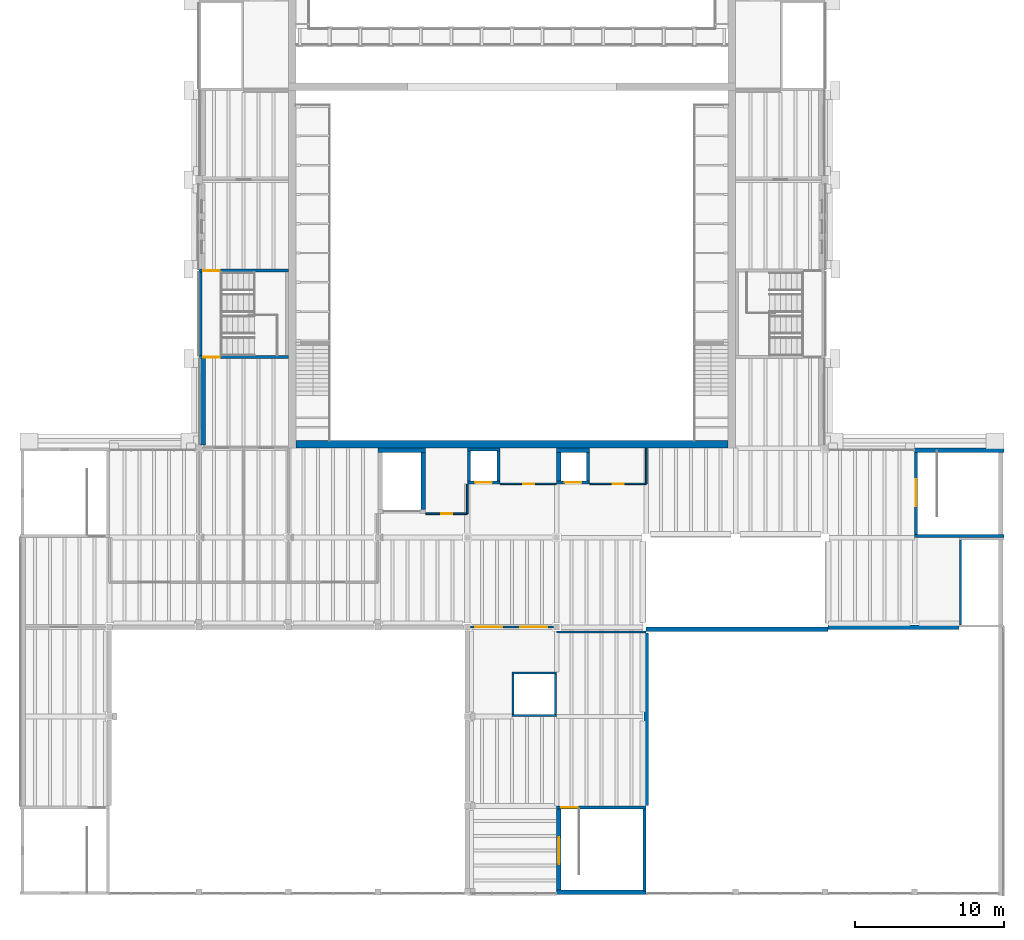
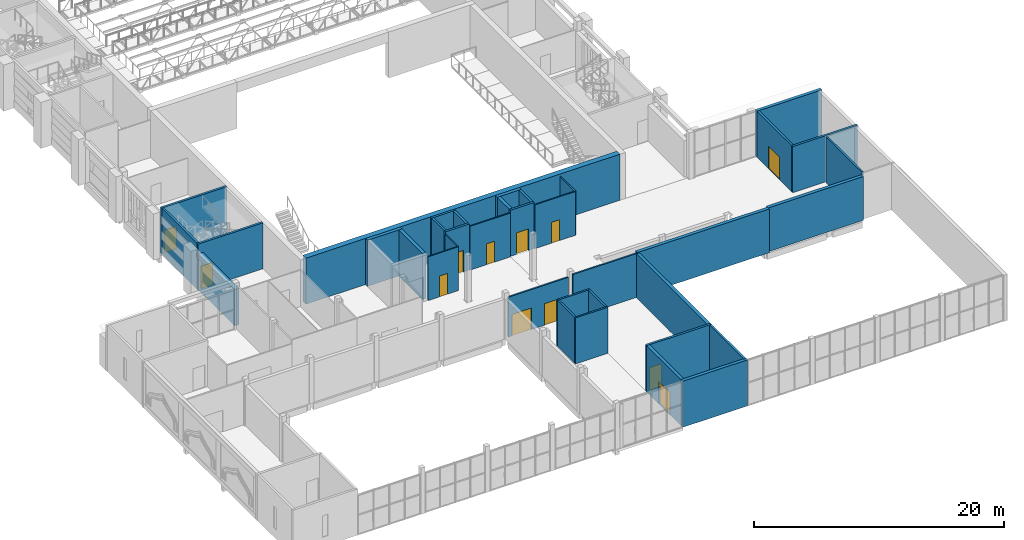
# One storey, part 26 of 70: 37 walls, 12 doors, 12 openings.
"""IFC4 building model written with IfcOpenShell, lengths in metres."""

from ifc_helpers import new_model, si_unit, direction, frame, frame_2d, origin, place, context, subcontext, project, spatial, rectangle, extrude, material, layer, layer_set, type_object, element, fill, save


model = new_model("IFC4")

# Units and contexts
model_context = context("Model", 3, precision=1e-05, world=origin(), true_north=direction((0.0, 1.0)))
body_context = subcontext(model_context, "Body", "Model", "MODEL_VIEW")
ifc_project = project(units=[si_unit("LENGTHUNIT", "METRE"), si_unit("AREAUNIT", "SQUARE_METRE"), si_unit("VOLUMEUNIT", "CUBIC_METRE"), si_unit("PLANEANGLEUNIT", "RADIAN"), si_unit("MASSUNIT", "GRAM", prefix="KILO")], contexts=[model_context])

# Site, building, storey
site_placement = place(None, origin())
site = spatial("IfcSite", under=ifc_project, at=site_placement, CompositionType="ELEMENT")
building_placement = place(site_placement, origin())
building = spatial("IfcBuilding", under=site, at=building_placement, Name="Saffron Lane Theatres", CompositionType="ELEMENT")
storey_placement = place(building_placement, frame((0.0, 0.0, 12.0)))
storey = spatial("IfcBuildingStorey", under=building, at=storey_placement, Name="L02", CompositionType="ELEMENT", Elevation=12.0)

# Walls
ifc_material_1 = material(Name="Masonry pale clay brick", Category="masonry")
ifc_layer_1 = layer(ifc_material_1, 0.11, Name="facing leaf")
ifc_material_2 = material(Name="Air cavity", Category="air")
ifc_layer_2 = layer(ifc_material_2, 0.05, ventilated=True, Name="cavity")
ifc_material_3 = material(Name="Mineral wool insulation")
ifc_layer_3 = layer(ifc_material_3, 0.06, Name="insulation")
ifc_material_4 = material(Name="Concrete N40 (40 MPa)", Category="concrete")
ifc_layer_4 = layer(ifc_material_4, 0.18, Name="inner leaf")
ifc_layer_set_1 = layer_set([ifc_layer_1, ifc_layer_2, ifc_layer_3, ifc_layer_4], Name="Masonry pale clay brick")
wall_type_1 = type_object("IfcWallType", Name="EX-WALL BRICK 400", PredefinedType="SOLIDWALL", material=ifc_layer_set_1)
wall_1_placement = place(storey_placement, frame((12.25, 30.22509765625, 0.0), z_axis=(0.0, 0.0, 1.0), x_axis=(0.0, 1.0, 0.0)))
element("IfcWall", 1, at=wall_1_placement, inside=storey, type_object=wall_type_1, Name="External wall L02 01", PredefinedType="SOLIDWALL", context=body_context, shape_type="SweptSolid", body=[
    extrude(rectangle(XDim=5.77490234375, YDim=0.39990234375, at=frame_2d((2.887451171875, 0.0))), origin(), (0.0, 0.0, 1.0), 3.550048828125),
])
ifc_material_5 = material(Name="Acoustic masonry fire wall", Category="masonry")
ifc_layer_5 = layer(ifc_material_5, 0.300048828125)
ifc_layer_set_2 = layer_set([ifc_layer_5], Name="Acoustic masonry fire wall")
wall_type_2 = type_object("IfcWallType", Name="IN-ACOUSTIC FIRE WALL 300", PredefinedType="PARTITIONING", material=ifc_layer_set_2)
wall_2_placement = place(storey_placement, frame((42.0, 17.840087890625, 0.0), z_axis=(0.0, 0.0, 1.0), x_axis=(1.0, 0.0, 0.0)))
element("IfcWall", 2, at=wall_2_placement, inside=storey, type_object=wall_type_2, Name="PW-L02-093", PredefinedType="PARTITIONING", context=body_context, shape_type="SweptSolid", body=[
    extrude(rectangle(XDim=12.199951171875, YDim=0.300048828125, at=frame_2d((6.10009765625, 0.0))), origin(), (0.0, 0.0, 1.0), 4.280029296875),
])
wall_3_placement = place(storey_placement, frame((54.199951171875, 18.0, 0.0), z_axis=(0.0, 0.0, 1.0), x_axis=(1.0, 0.0, 0.0)))
element("IfcWall", 3, at=wall_3_placement, inside=storey, type_object=wall_type_2, Name="PW-L02-094", PredefinedType="PARTITIONING", context=body_context, shape_type="SweptSolid", body=[
    extrude(rectangle(XDim=8.780029296875, YDim=0.300048828125, at=frame_2d((4.39013671875, 0.0))), origin(), (0.0, 0.0, 1.0), 4.280029296875),
])
ifc_material_6 = material(Name="Plasterboard")
ifc_layer_6 = layer(ifc_material_6, 0.026, Name="lining")
ifc_layer_7 = layer(ifc_material_3, 0.087, Name="stud zone")
ifc_layer_8 = layer(ifc_material_2, 0.1, ventilated=True, Name="air gap")
ifc_layer_9 = layer(ifc_material_3, 0.061, Name="stud zone")
ifc_layer_10 = layer(ifc_material_6, 0.026, Name="lining")
ifc_layer_set_3 = layer_set([ifc_layer_6, ifc_layer_7, ifc_layer_8, ifc_layer_9, ifc_layer_10], Name="Acoustic plasterboard wall")
wall_type_3 = type_object("IfcWallType", Name="IN-ACOUSTIC WALL 300", PredefinedType="PARTITIONING", material=ifc_layer_set_3)
wall_4_placement = place(storey_placement, frame((42.0, 6.02001953125, 0.0), z_axis=(0.0, 0.0, 1.0), x_axis=(0.0, 1.0, 0.0)))
element("IfcWall", 4, at=wall_4_placement, inside=storey, type_object=wall_type_3, Name="PW-L02-104", PredefinedType="PARTITIONING", context=body_context, shape_type="SweptSolid", body=[
    extrude(rectangle(XDim=11.570068359375, YDim=0.300048828125, at=frame_2d((5.78515625, 0.0))), origin(), (0.0, 0.0, 1.0), 4.280029296875),
])

# Wall, opening, door
ifc_material_7 = material(Name="Masonry block partition", Category="masonry")
ifc_layer_11 = layer(ifc_material_7, 0.110107421875)
ifc_layer_set_4 = layer_set([ifc_layer_11], Name="Masonry block partition")
wall_type_4 = type_object("IfcWallType", Name="IN-BLOCK PARTITION 110", PredefinedType="PARTITIONING", material=ifc_layer_set_4)
wall_5_placement = place(storey_placement, frame((27.219970703125, 25.60009765625, 0.0), z_axis=(0.0, 0.0, 1.0), x_axis=(1.0, 0.0, 0.0)))
wall_5 = element("IfcWall", 5, at=wall_5_placement, inside=storey, type_object=wall_type_4, Name="PW-L02-031", PredefinedType="PARTITIONING", context=body_context, shape_type="SweptSolid", body=[
    extrude(rectangle(XDim=2.780029296875, YDim=0.110107421875, at=frame_2d((1.39013671875, 0.0))), origin(), (0.0, 0.0, 1.0), 4.280029296875),
])
opening_1_placement = place(wall_5_placement, frame((1.030029296875, 0.0, 0.0)))
opening_1 = element("IfcOpeningElement", 6, at=opening_1_placement, cuts=wall_5, Name="Opening D02-41", PredefinedType="OPENING", context=body_context, shape_type="SweptSolid", body=[
    extrude(rectangle(XDim=0.75, YDim=2.0400390625, at=frame_2d((0.375, 1.02001953125))), frame((0.0, 0.06494140625, 0.0), z_axis=(0.0, -1.0, 0.0), x_axis=(1.0, 0.0, 0.0)), (0.0, 0.0, 1.0), 0.130126953125),
])
ifc_material_8 = material(Name="Steel faced fire door leaf", Category="steel")
door_type_1 = type_object("IfcDoorType", Name="IN-DOOR 750x2040 FD60", OperationType="NOTDEFINED", PredefinedType="DOOR", material=ifc_material_8)
door_1_placement = place(opening_1_placement, origin())
door_1 = element("IfcDoor", 7, at=door_1_placement, inside=storey, type_object=door_type_1, Name="D02-41", OperationType="SINGLE_SWING_LEFT", OverallHeight=2.0400390625, OverallWidth=0.75, PredefinedType="DOOR", context=body_context, shape_type="SweptSolid", body=[
    extrude(rectangle(XDim=0.75, YDim=2.0400390625, at=frame_2d((0.375, 1.02001953125))), frame((0.0, 0.02490234375, 0.0), z_axis=(0.0, -1.0, 0.0), x_axis=(1.0, 0.0, 0.0)), (0.0, 0.0, 1.0), 0.050048828125),
])
fill(opening_1, door_1)

# Wall
wall_6_placement = place(storey_placement, frame((30.0, 25.60009765625, 0.0), z_axis=(0.0, 0.0, 1.0), x_axis=(0.0, 1.0, 0.0)))
element("IfcWall", 8, at=wall_6_placement, inside=storey, type_object=wall_type_4, Name="PW-L02-032", PredefinedType="PARTITIONING", context=body_context, shape_type="SweptSolid", body=[
    extrude(rectangle(XDim=1.97998046875, YDim=0.110107421875, at=frame_2d((0.989990234375, 0.0))), origin(), (0.0, 0.0, 1.0), 4.280029296875),
])

# Wall, opening, door
wall_7_placement = place(storey_placement, frame((32.219970703125, 27.60009765625, 0.0), z_axis=(0.0, 0.0, 1.0), x_axis=(1.0, 0.0, 0.0)))
wall_7 = element("IfcWall", 9, at=wall_7_placement, inside=storey, type_object=wall_type_4, Name="PW-L02-033", PredefinedType="PARTITIONING", context=body_context, shape_type="SweptSolid", body=[
    extrude(rectangle(XDim=3.760009765625, YDim=0.110107421875, at=frame_2d((1.8798828125, 0.0))), origin(), (0.0, 0.0, 1.0), 4.280029296875),
])
opening_2_placement = place(wall_7_placement, frame((1.530029296875, 0.0, 0.0)))
opening_2 = element("IfcOpeningElement", 10, at=opening_2_placement, cuts=wall_7, Name="Opening D02-37", PredefinedType="OPENING", context=body_context, shape_type="SweptSolid", body=[
    extrude(rectangle(XDim=0.75, YDim=2.0400390625, at=frame_2d((0.375, 1.02001953125))), frame((0.0, 0.06494140625, 0.0), z_axis=(0.0, -1.0, 0.0), x_axis=(1.0, 0.0, 0.0)), (0.0, 0.0, 1.0), 0.130126953125),
])
door_2_placement = place(opening_2_placement, origin())
door_2 = element("IfcDoor", 11, at=door_2_placement, inside=storey, type_object=door_type_1, Name="D02-37", OperationType="SINGLE_SWING_LEFT", OverallHeight=2.0400390625, OverallWidth=0.75, PredefinedType="DOOR", context=body_context, shape_type="SweptSolid", body=[
    extrude(rectangle(XDim=0.75, YDim=2.0400390625, at=frame_2d((0.375, 1.02001953125))), frame((0.0, 0.02490234375, 0.0), z_axis=(0.0, -1.0, 0.0), x_axis=(1.0, 0.0, 0.0)), (0.0, 0.0, 1.0), 0.050048828125),
])
fill(opening_2, door_2)

wall_8_placement = place(storey_placement, frame((38.219970703125, 27.60009765625, 0.0), z_axis=(0.0, 0.0, 1.0), x_axis=(1.0, 0.0, 0.0)))
wall_8 = element("IfcWall", 12, at=wall_8_placement, inside=storey, type_object=wall_type_4, Name="PW-L02-034", PredefinedType="PARTITIONING", context=body_context, shape_type="SweptSolid", body=[
    extrude(rectangle(XDim=3.780029296875, YDim=0.110107421875, at=frame_2d((1.89013671875, 0.0))), origin(), (0.0, 0.0, 1.0), 4.280029296875),
])
opening_3_placement = place(wall_8_placement, frame((1.530029296875, 0.0, 0.0)))
opening_3 = element("IfcOpeningElement", 13, at=opening_3_placement, cuts=wall_8, Name="Opening D02-38", PredefinedType="OPENING", context=body_context, shape_type="SweptSolid", body=[
    extrude(rectangle(XDim=0.75, YDim=2.0400390625, at=frame_2d((0.375, 1.02001953125))), frame((0.0, 0.06494140625, 0.0), z_axis=(0.0, -1.0, 0.0), x_axis=(1.0, 0.0, 0.0)), (0.0, 0.0, 1.0), 0.130126953125),
])
door_3_placement = place(opening_3_placement, origin())
door_3 = element("IfcDoor", 14, at=door_3_placement, inside=storey, type_object=door_type_1, Name="D02-38", OperationType="SINGLE_SWING_LEFT", OverallHeight=2.0400390625, OverallWidth=0.75, PredefinedType="DOOR", context=body_context, shape_type="SweptSolid", body=[
    extrude(rectangle(XDim=0.75, YDim=2.0400390625, at=frame_2d((0.375, 1.02001953125))), frame((0.0, 0.02490234375, 0.0), z_axis=(0.0, -1.0, 0.0), x_axis=(1.0, 0.0, 0.0)), (0.0, 0.0, 1.0), 0.050048828125),
])
fill(opening_3, door_3)

# Wall
wall_9_placement = place(storey_placement, frame((42.0, 27.60009765625, 0.0), z_axis=(0.0, 0.0, 1.0), x_axis=(0.0, 1.0, 0.0)))
element("IfcWall", 15, at=wall_9_placement, inside=storey, type_object=wall_type_4, Name="PW-L02-035", PredefinedType="PARTITIONING", context=body_context, shape_type="SweptSolid", body=[
    extrude(rectangle(XDim=2.3798828125, YDim=0.110107421875, at=frame_2d((1.18994140625, 0.0))), origin(), (0.0, 0.0, 1.0), 4.280029296875),
])

# Wall, openings, doors
ifc_material_9 = material(Name="Masonry block partition", Category="masonry")
ifc_layer_12 = layer(ifc_material_9, 0.139892578125)
ifc_layer_set_5 = layer_set([ifc_layer_12], Name="Masonry block partition")
wall_type_5 = type_object("IfcWallType", Name="IN-BLOCK PARTITION 140", PredefinedType="PARTITIONING", material=ifc_layer_set_5)
wall_10_placement = place(storey_placement, frame((30.219970703125, 18.0, 0.0), z_axis=(0.0, 0.0, 1.0), x_axis=(1.0, 0.0, 0.0)))
wall_10 = element("IfcWall", 16, at=wall_10_placement, inside=storey, type_object=wall_type_5, Name="PW-L02-050", PredefinedType="PARTITIONING", context=body_context, shape_type="SweptSolid", body=[
    extrude(rectangle(XDim=5.56005859375, YDim=0.139892578125, at=frame_2d((2.780029296875, 0.0))), origin(), (0.0, 0.0, 1.0), 3.89990234375),
])
opening_4_placement = place(wall_10_placement, frame((0.330078125, 0.0, 0.0)))
opening_4 = element("IfcOpeningElement", 17, at=opening_4_placement, cuts=wall_10, Name="Opening D02-51", PredefinedType="OPENING", context=body_context, shape_type="SweptSolid", body=[
    extrude(rectangle(XDim=1.800048828125, YDim=2.10009765625, at=frame_2d((0.89990234375, 1.050048828125))), frame((0.0, 0.080078125, 0.0), z_axis=(0.0, -1.0, 0.0), x_axis=(1.0, 0.0, 0.0)), (0.0, 0.0, 1.0), 0.159912109375),
])
opening_5_placement = place(wall_10_placement, frame((3.330078125, 0.0, 0.0)))
opening_5 = element("IfcOpeningElement", 18, at=opening_5_placement, cuts=wall_10, Name="Opening D02-52", PredefinedType="OPENING", context=body_context, shape_type="SweptSolid", body=[
    extrude(rectangle(XDim=1.800048828125, YDim=2.10009765625, at=frame_2d((0.89990234375, 1.050048828125))), frame((0.0, 0.080078125, 0.0), z_axis=(0.0, -1.0, 0.0), x_axis=(1.0, 0.0, 0.0)), (0.0, 0.0, 1.0), 0.159912109375),
])
ifc_material_10 = material(Name="Steel faced fire door leaf", Category="steel")
door_type_2 = type_object("IfcDoorType", Name="IN-DOOR 1800x2100 FD120", OperationType="DOUBLE_DOOR_SINGLE_SWING", PredefinedType="DOOR", material=ifc_material_10)
door_4_placement = place(opening_4_placement, origin())
door_4 = element("IfcDoor", 19, at=door_4_placement, inside=storey, type_object=door_type_2, Name="D02-51", OperationType="DOUBLE_DOOR_SINGLE_SWING", OverallHeight=2.10009765625, OverallWidth=1.800048828125, PredefinedType="DOOR", context=body_context, shape_type="SweptSolid", body=[
    extrude(rectangle(XDim=1.800048828125, YDim=2.10009765625, at=frame_2d((0.89990234375, 1.050048828125))), frame((0.0, 0.02490234375, 0.0), z_axis=(0.0, -1.0, 0.0), x_axis=(1.0, 0.0, 0.0)), (0.0, 0.0, 1.0), 0.050048828125),
])
fill(opening_4, door_4)
door_5_placement = place(opening_5_placement, origin())
door_5 = element("IfcDoor", 20, at=door_5_placement, inside=storey, type_object=door_type_2, Name="D02-52", OperationType="DOUBLE_DOOR_SINGLE_SWING", OverallHeight=2.10009765625, OverallWidth=1.800048828125, PredefinedType="DOOR", context=body_context, shape_type="SweptSolid", body=[
    extrude(rectangle(XDim=1.800048828125, YDim=2.10009765625, at=frame_2d((0.89990234375, 1.050048828125))), frame((0.0, 0.02490234375, 0.0), z_axis=(0.0, -1.0, 0.0), x_axis=(1.0, 0.0, 0.0)), (0.0, 0.0, 1.0), 0.050048828125),
])
fill(opening_5, door_5)

# Walls
wall_11_placement = place(storey_placement, frame((36.0, 17.679931640625, 0.0), z_axis=(0.0, 0.0, 1.0), x_axis=(1.0, 0.0, 0.0)))
element("IfcWall", 21, at=wall_11_placement, inside=storey, type_object=wall_type_5, Name="PW-L02-051", PredefinedType="PARTITIONING", context=body_context, shape_type="SweptSolid", body=[
    extrude(rectangle(XDim=6.0, YDim=0.139892578125, at=frame_2d((3.0, 0.0))), origin(), (0.0, 0.0, 1.0), 4.280029296875),
])
ifc_material_11 = material(Name="Concrete N50 (50 MPa)", Category="concrete")
ifc_layer_13 = layer(ifc_material_11, 0.14990234375)
ifc_layer_set_6 = layer_set([ifc_layer_13], Name="Concrete N50 (50 MPa)")
wall_type_6 = type_object("IfcWallType", Name="RC-CORE 150", PredefinedType="SHEAR", material=ifc_layer_set_6)
for number, where, z_axis, x_axis, name in (
    (22, (33.0, 14.925048828125, 0.0), (0.0, 0.0, 1.0), (1.0, 0.0, 0.0), "W-R5-N-L02"),
    (23, (33.0, 12.074951171875, 0.0), (0.0, 0.0, 1.0), (1.0, 0.0, 0.0), "W-R5-S-L02"),
):
    element("IfcWall", number, at=place(storey_placement, frame(where, z_axis=z_axis, x_axis=x_axis)), inside=storey, type_object=wall_type_6, Name=name, PredefinedType="SHEAR", context=body_context, shape_type="SweptSolid", body=[
        extrude(rectangle(XDim=3.0, YDim=0.14990234375, at=frame_2d((1.5, 0.0))), origin(), (0.0, 0.0, 1.0), 4.5),
    ])
for number, where, z_axis, x_axis, name in (
    (24, (33.074951171875, 12.14990234375, 0.0), (0.0, 0.0, 1.0), (0.0, 1.0, 0.0), "W-R5-W-L02"),
    (25, (35.925048828125, 12.14990234375, 0.0), (0.0, 0.0, 1.0), (0.0, 1.0, 0.0), "W-R5-E-L02"),
):
    element("IfcWall", number, at=place(storey_placement, frame(where, z_axis=z_axis, x_axis=x_axis)), inside=storey, type_object=wall_type_6, Name=name, PredefinedType="SHEAR", context=body_context, shape_type="SweptSolid", body=[
        extrude(rectangle(XDim=2.7001953125, YDim=0.14990234375, at=frame_2d((1.35009765625, 0.0))), origin(), (0.0, 0.0, 1.0), 4.5),
    ])
wall_12_placement = place(storey_placement, frame((63.074951171875, 18.14990234375, 0.0), z_axis=(0.0, 0.0, 1.0), x_axis=(0.0, 1.0, 0.0)))
element("IfcWall", 26, at=wall_12_placement, inside=storey, type_object=wall_type_6, Name="W-R6-W-L02", PredefinedType="SHEAR", context=body_context, shape_type="SweptSolid", body=[
    extrude(rectangle(XDim=5.7001953125, YDim=0.14990234375, at=frame_2d((2.85009765625, 0.0))), origin(), (0.0, 0.0, 1.0), 4.5),
])

# Wall, opening, door
ifc_material_12 = material(Name="Concrete N50 (50 MPa)", Category="concrete")
ifc_layer_14 = layer(ifc_material_12, 0.199951171875)
ifc_layer_set_7 = layer_set([ifc_layer_14], Name="Concrete N50 (50 MPa)")
wall_type_7 = type_object("IfcWallType", Name="RC-CORE 200", PredefinedType="SHEAR", material=ifc_layer_set_7)
wall_13_placement = place(storey_placement, frame((12.0, 41.89990234375, 0.0), z_axis=(0.0, 0.0, 1.0), x_axis=(1.0, 0.0, 0.0)))
wall_13 = element("IfcWall", 27, at=wall_13_placement, inside=storey, type_object=wall_type_7, Name="W-ST5-N-L02", PredefinedType="SHEAR", context=body_context, shape_type="SweptSolid", body=[
    extrude(rectangle(XDim=6.0, YDim=0.199951171875, at=frame_2d((3.0, 0.0))), origin(), (0.0, 0.0, 1.0), 4.5),
])
opening_6_placement = place(wall_13_placement, frame((0.300048828125, 0.0, 0.0)))
opening_6 = element("IfcOpeningElement", 28, at=opening_6_placement, cuts=wall_13, Name="Opening D02-23", PredefinedType="OPENING", context=body_context, shape_type="SweptSolid", body=[
    extrude(rectangle(XDim=1.10009765625, YDim=2.199951171875, at=frame_2d((0.550048828125, 1.10009765625))), frame((0.0, 0.10986328125, 0.0), z_axis=(0.0, -1.0, 0.0), x_axis=(1.0, 0.0, 0.0)), (0.0, 0.0, 1.0), 0.219970703125),
])
ifc_material_13 = material(Name="Steel faced fire door leaf", Category="steel")
door_type_3 = type_object("IfcDoorType", Name="IN-DOOR 1100x2200 FD120", OperationType="NOTDEFINED", PredefinedType="DOOR", material=ifc_material_13)
door_6_placement = place(opening_6_placement, frame((1.10009765625, 0.0, 0.0), z_axis=(0.0, 0.0, 1.0), x_axis=(-1.0, 0.0, 0.0)))
door_6 = element("IfcDoor", 29, at=door_6_placement, inside=storey, type_object=door_type_3, Name="D02-23", OperationType="SINGLE_SWING_LEFT", OverallHeight=2.199951171875, OverallWidth=1.10009765625, PredefinedType="DOOR", context=body_context, shape_type="SweptSolid", body=[
    extrude(rectangle(XDim=1.10009765625, YDim=2.199951171875, at=frame_2d((0.550048828125, 1.10009765625))), frame((0.0, 0.02490234375, 0.0), z_axis=(0.0, -1.0, 0.0), x_axis=(1.0, 0.0, 0.0)), (0.0, 0.0, 1.0), 0.050048828125),
])
fill(opening_6, door_6)

wall_14_placement = place(storey_placement, frame((12.0, 36.10009765625, 0.0), z_axis=(0.0, 0.0, 1.0), x_axis=(1.0, 0.0, 0.0)))
wall_14 = element("IfcWall", 30, at=wall_14_placement, inside=storey, type_object=wall_type_7, Name="W-ST5-S-L02", PredefinedType="SHEAR", context=body_context, shape_type="SweptSolid", body=[
    extrude(rectangle(XDim=6.0, YDim=0.199951171875, at=frame_2d((3.0, 0.0))), origin(), (0.0, 0.0, 1.0), 4.5),
])
opening_7_placement = place(wall_14_placement, frame((0.300048828125, 0.0, 0.0)))
opening_7 = element("IfcOpeningElement", 31, at=opening_7_placement, cuts=wall_14, Name="Opening D02-22", PredefinedType="OPENING", context=body_context, shape_type="SweptSolid", body=[
    extrude(rectangle(XDim=1.10009765625, YDim=2.199951171875, at=frame_2d((0.550048828125, 1.10009765625))), frame((0.0, 0.10986328125, 0.0), z_axis=(0.0, -1.0, 0.0), x_axis=(1.0, 0.0, 0.0)), (0.0, 0.0, 1.0), 0.219970703125),
])
door_7_placement = place(opening_7_placement, origin())
door_7 = element("IfcDoor", 32, at=door_7_placement, inside=storey, type_object=door_type_3, Name="D02-22", OperationType="SINGLE_SWING_RIGHT", OverallHeight=2.199951171875, OverallWidth=1.10009765625, PredefinedType="DOOR", context=body_context, shape_type="SweptSolid", body=[
    extrude(rectangle(XDim=1.10009765625, YDim=2.199951171875, at=frame_2d((0.550048828125, 1.10009765625))), frame((0.0, 0.02490234375, 0.0), z_axis=(0.0, -1.0, 0.0), x_axis=(1.0, 0.0, 0.0)), (0.0, 0.0, 1.0), 0.050048828125),
])
fill(opening_7, door_7)

wall_15_placement = place(storey_placement, frame((36.0, 5.89990234375, 0.0), z_axis=(0.0, 0.0, 1.0), x_axis=(1.0, 0.0, 0.0)))
wall_15 = element("IfcWall", 33, at=wall_15_placement, inside=storey, type_object=wall_type_7, Name="W-ST9-N-L02", PredefinedType="SHEAR", context=body_context, shape_type="SweptSolid", body=[
    extrude(rectangle(XDim=6.0, YDim=0.199951171875, at=frame_2d((3.0, 0.0))), origin(), (0.0, 0.0, 1.0), 4.5),
])
opening_8_placement = place(wall_15_placement, frame((0.300048828125, 0.0, 0.0)))
opening_8 = element("IfcOpeningElement", 34, at=opening_8_placement, cuts=wall_15, Name="Opening D02-28", PredefinedType="OPENING", context=body_context, shape_type="SweptSolid", body=[
    extrude(rectangle(XDim=1.10009765625, YDim=2.199951171875, at=frame_2d((0.550048828125, 1.10009765625))), frame((0.0, 0.10986328125, 0.0), z_axis=(0.0, -1.0, 0.0), x_axis=(1.0, 0.0, 0.0)), (0.0, 0.0, 1.0), 0.219970703125),
])
door_8_placement = place(opening_8_placement, frame((1.10009765625, 0.0, 0.0), z_axis=(0.0, 0.0, 1.0), x_axis=(-1.0, 0.0, 0.0)))
door_8 = element("IfcDoor", 35, at=door_8_placement, inside=storey, type_object=door_type_3, Name="D02-28", OperationType="SINGLE_SWING_LEFT", OverallHeight=2.199951171875, OverallWidth=1.10009765625, PredefinedType="DOOR", context=body_context, shape_type="SweptSolid", body=[
    extrude(rectangle(XDim=1.10009765625, YDim=2.199951171875, at=frame_2d((0.550048828125, 1.10009765625))), frame((0.0, 0.02490234375, 0.0), z_axis=(0.0, -1.0, 0.0), x_axis=(1.0, 0.0, 0.0)), (0.0, 0.0, 1.0), 0.050048828125),
])
fill(opening_8, door_8)

# Walls
wall_16_placement = place(storey_placement, frame((41.89990234375, 0.300048828125, 0.0), z_axis=(0.0, 0.0, 1.0), x_axis=(0.0, 1.0, 0.0)))
element("IfcWall", 36, at=wall_16_placement, inside=storey, type_object=wall_type_7, Name="W-ST9-E-L02", PredefinedType="SHEAR", context=body_context, shape_type="SweptSolid", body=[
    extrude(rectangle(XDim=5.5, YDim=0.199951171875, at=frame_2d((2.75, 0.0))), origin(), (0.0, 0.0, 1.0), 4.5),
])
wall_17_placement = place(storey_placement, frame((60.0, 24.10009765625, 0.0), z_axis=(0.0, 0.0, 1.0), x_axis=(1.0, 0.0, 0.0)))
element("IfcWall", 37, at=wall_17_placement, inside=storey, type_object=wall_type_7, Name="W-ST13-S-L02", PredefinedType="SHEAR", context=body_context, shape_type="SweptSolid", body=[
    extrude(rectangle(XDim=6.0, YDim=0.199951171875, at=frame_2d((3.0, 0.0))), origin(), (0.0, 0.0, 1.0), 4.5),
])

# Wall, opening, door
wall_18_placement = place(storey_placement, frame((60.10009765625, 24.199951171875, 0.0), z_axis=(0.0, 0.0, 1.0), x_axis=(0.0, 1.0, 0.0)))
wall_18 = element("IfcWall", 38, at=wall_18_placement, inside=storey, type_object=wall_type_7, Name="W-ST13-W-L02", PredefinedType="SHEAR", context=body_context, shape_type="SweptSolid", body=[
    extrude(rectangle(XDim=5.5, YDim=0.199951171875, at=frame_2d((2.75, 0.0))), origin(), (0.0, 0.0, 1.0), 4.5),
])
opening_9_placement = place(wall_18_placement, frame((1.89990234375, 0.0, 0.0)))
opening_9 = element("IfcOpeningElement", 39, at=opening_9_placement, cuts=wall_18, Name="Opening D02-30", PredefinedType="OPENING", context=body_context, shape_type="SweptSolid", body=[
    extrude(rectangle(XDim=1.800048828125, YDim=2.199951171875, at=frame_2d((0.89990234375, 1.10009765625))), frame((0.0, 0.10986328125, 0.0), z_axis=(0.0, -1.0, 0.0), x_axis=(1.0, 0.0, 0.0)), (0.0, 0.0, 1.0), 0.219970703125),
])
ifc_material_14 = material(Name="Steel faced fire door leaf", Category="steel")
door_type_4 = type_object("IfcDoorType", Name="IN-DOOR 1800x2200 FD120", OperationType="DOUBLE_DOOR_SINGLE_SWING", PredefinedType="DOOR", material=ifc_material_14)
door_9_placement = place(opening_9_placement, frame((1.800048828125, 0.0, 0.0), z_axis=(0.0, 0.0, 1.0), x_axis=(-1.0, 0.0, 0.0)))
door_9 = element("IfcDoor", 40, at=door_9_placement, inside=storey, type_object=door_type_4, Name="D02-30", OperationType="DOUBLE_DOOR_SINGLE_SWING", OverallHeight=2.199951171875, OverallWidth=1.800048828125, PredefinedType="DOOR", context=body_context, shape_type="SweptSolid", body=[
    extrude(rectangle(XDim=1.800048828125, YDim=2.199951171875, at=frame_2d((0.89990234375, 1.10009765625))), frame((0.0, 0.02490234375, 0.0), z_axis=(0.0, -1.0, 0.0), x_axis=(1.0, 0.0, 0.0)), (0.0, 0.0, 1.0), 0.050048828125),
])
fill(opening_9, door_9)

# Wall
wall_19_placement = place(storey_placement, frame((30.0, 29.89990234375, 0.0), z_axis=(0.0, 0.0, 1.0), x_axis=(1.0, 0.0, 0.0)))
element("IfcWall", 41, at=wall_19_placement, inside=storey, type_object=wall_type_7, Name="W-LC5-N-L02", PredefinedType="SHEAR", context=body_context, shape_type="SweptSolid", body=[
    extrude(rectangle(XDim=2.199951171875, YDim=0.199951171875, at=frame_2d((1.10009765625, 0.0))), origin(), (0.0, 0.0, 1.0), 4.5),
])

# Wall, opening, door
wall_20_placement = place(storey_placement, frame((30.0, 27.699951171875, 0.0), z_axis=(0.0, 0.0, 1.0), x_axis=(1.0, 0.0, 0.0)))
wall_20 = element("IfcWall", 42, at=wall_20_placement, inside=storey, type_object=wall_type_7, Name="W-LC5-S-L02", PredefinedType="SHEAR", context=body_context, shape_type="SweptSolid", body=[
    extrude(rectangle(XDim=2.199951171875, YDim=0.199951171875, at=frame_2d((1.10009765625, 0.0))), origin(), (0.0, 0.0, 1.0), 4.5),
])
opening_10_placement = place(wall_20_placement, frame((0.550048828125, 0.0, 0.0)))
opening_10 = element("IfcOpeningElement", 43, at=opening_10_placement, cuts=wall_20, Name="Opening LD19", PredefinedType="OPENING", context=body_context, shape_type="SweptSolid", body=[
    extrude(rectangle(XDim=1.10009765625, YDim=2.10009765625, at=frame_2d((0.550048828125, 1.050048828125))), frame((0.0, 0.10986328125, 0.0), z_axis=(0.0, -1.0, 0.0), x_axis=(1.0, 0.0, 0.0)), (0.0, 0.0, 1.0), 0.219970703125),
])
ifc_material_15 = material(Name="Stainless steel 316", Category="steel")
door_type_5 = type_object("IfcDoorType", Name="VC-LANDING DOOR 1100x2100", OperationType="DOUBLE_DOOR_SLIDING", PredefinedType="DOOR", material=ifc_material_15)
door_10_placement = place(opening_10_placement, origin())
door_10 = element("IfcDoor", 44, at=door_10_placement, inside=storey, type_object=door_type_5, Name="Landing doors LC5 L02", OperationType="DOUBLE_DOOR_SLIDING", OverallHeight=2.10009765625, OverallWidth=1.10009765625, PredefinedType="DOOR", context=body_context, shape_type="SweptSolid", body=[
    extrude(rectangle(XDim=1.10009765625, YDim=2.10009765625, at=frame_2d((0.550048828125, 1.050048828125))), frame((0.0, 0.02490234375, 0.0), z_axis=(0.0, -1.0, 0.0), x_axis=(1.0, 0.0, 0.0)), (0.0, 0.0, 1.0), 0.050048828125),
])
fill(opening_10, door_10)

# Walls
for number, where, z_axis, x_axis, name in (
    (45, (30.10009765625, 27.800048828125, 0.0), (0.0, 0.0, 1.0), (0.0, 1.0, 0.0), "W-LC5-W-L02"),
    (46, (32.10009765625, 27.800048828125, 0.0), (0.0, 0.0, 1.0), (0.0, 1.0, 0.0), "W-LC5-E-L02"),
):
    element("IfcWall", number, at=place(storey_placement, frame(where, z_axis=z_axis, x_axis=x_axis)), inside=storey, type_object=wall_type_7, Name=name, PredefinedType="SHEAR", context=body_context, shape_type="SweptSolid", body=[
        extrude(rectangle(XDim=2.0, YDim=0.199951171875, at=frame_2d((1.0, 0.0))), origin(), (0.0, 0.0, 1.0), 4.5),
    ])

# Wall, opening, door
wall_21_placement = place(storey_placement, frame((36.0, 27.699951171875, 0.0), z_axis=(0.0, 0.0, 1.0), x_axis=(1.0, 0.0, 0.0)))
wall_21 = element("IfcWall", 47, at=wall_21_placement, inside=storey, type_object=wall_type_7, Name="W-LC6-S-L02", PredefinedType="SHEAR", context=body_context, shape_type="SweptSolid", body=[
    extrude(rectangle(XDim=2.199951171875, YDim=0.199951171875, at=frame_2d((1.10009765625, 0.0))), origin(), (0.0, 0.0, 1.0), 4.5),
])
opening_11_placement = place(wall_21_placement, frame((0.550048828125, 0.0, 0.0)))
opening_11 = element("IfcOpeningElement", 48, at=opening_11_placement, cuts=wall_21, Name="Opening LD22", PredefinedType="OPENING", context=body_context, shape_type="SweptSolid", body=[
    extrude(rectangle(XDim=1.10009765625, YDim=2.10009765625, at=frame_2d((0.550048828125, 1.050048828125))), frame((0.0, 0.10986328125, 0.0), z_axis=(0.0, -1.0, 0.0), x_axis=(1.0, 0.0, 0.0)), (0.0, 0.0, 1.0), 0.219970703125),
])
door_11_placement = place(opening_11_placement, origin())
door_11 = element("IfcDoor", 49, at=door_11_placement, inside=storey, type_object=door_type_5, Name="Landing doors LC6 L02", OperationType="DOUBLE_DOOR_SLIDING", OverallHeight=2.10009765625, OverallWidth=1.10009765625, PredefinedType="DOOR", context=body_context, shape_type="SweptSolid", body=[
    extrude(rectangle(XDim=1.10009765625, YDim=2.10009765625, at=frame_2d((0.550048828125, 1.050048828125))), frame((0.0, 0.02490234375, 0.0), z_axis=(0.0, -1.0, 0.0), x_axis=(1.0, 0.0, 0.0)), (0.0, 0.0, 1.0), 0.050048828125),
])
fill(opening_11, door_11)

# Wall
wall_22_placement = place(storey_placement, frame((38.10009765625, 27.800048828125, 0.0), z_axis=(0.0, 0.0, 1.0), x_axis=(0.0, 1.0, 0.0)))
element("IfcWall", 50, at=wall_22_placement, inside=storey, type_object=wall_type_7, Name="W-LC6-E-L02", PredefinedType="SHEAR", context=body_context, shape_type="SweptSolid", body=[
    extrude(rectangle(XDim=1.89990234375, YDim=0.199951171875, at=frame_2d((0.949951171875, 0.0))), origin(), (0.0, 0.0, 1.0), 4.5),
])

# Wall, opening, door
ifc_material_16 = material(Name="Concrete N50 (50 MPa)", Category="concrete")
ifc_layer_15 = layer(ifc_material_16, 0.300048828125)
ifc_layer_set_8 = layer_set([ifc_layer_15], Name="Concrete N50 (50 MPa)")
wall_type_8 = type_object("IfcWallType", Name="RC-CORE 300", PredefinedType="SHEAR", material=ifc_layer_set_8)
wall_23_placement = place(storey_placement, frame((36.14990234375, 0.300048828125, 0.0), z_axis=(0.0, 0.0, 1.0), x_axis=(0.0, 1.0, 0.0)))
wall_23 = element("IfcWall", 51, at=wall_23_placement, inside=storey, type_object=wall_type_8, Name="W-ST9-W-L02", PredefinedType="SHEAR", context=body_context, shape_type="SweptSolid", body=[
    extrude(rectangle(XDim=5.5, YDim=0.300048828125, at=frame_2d((2.75, 0.0))), origin(), (0.0, 0.0, 1.0), 4.5),
])
opening_12_placement = place(wall_23_placement, frame((1.800048828125, 0.0, 0.0)))
opening_12 = element("IfcOpeningElement", 52, at=opening_12_placement, cuts=wall_23, Name="Opening D02-27", PredefinedType="OPENING", context=body_context, shape_type="SweptSolid", body=[
    extrude(rectangle(XDim=1.800048828125, YDim=2.199951171875, at=frame_2d((0.89990234375, 1.10009765625))), frame((0.0, 0.16015625, 0.0), z_axis=(0.0, -1.0, 0.0), x_axis=(1.0, 0.0, 0.0)), (0.0, 0.0, 1.0), 0.320068359375),
])
door_12_placement = place(opening_12_placement, frame((1.800048828125, 0.0, 0.0), z_axis=(0.0, 0.0, 1.0), x_axis=(-1.0, 0.0, 0.0)))
door_12 = element("IfcDoor", 53, at=door_12_placement, inside=storey, type_object=door_type_4, Name="D02-27", OperationType="DOUBLE_DOOR_SINGLE_SWING", OverallHeight=2.199951171875, OverallWidth=1.800048828125, PredefinedType="DOOR", context=body_context, shape_type="SweptSolid", body=[
    extrude(rectangle(XDim=1.800048828125, YDim=2.199951171875, at=frame_2d((0.89990234375, 1.10009765625))), frame((0.0, 0.02490234375, 0.0), z_axis=(0.0, -1.0, 0.0), x_axis=(1.0, 0.0, 0.0)), (0.0, 0.0, 1.0), 0.050048828125),
])
fill(opening_12, door_12)

# Walls
wall_24_placement = place(storey_placement, frame((36.0, 29.85009765625, 0.0), z_axis=(0.0, 0.0, 1.0), x_axis=(1.0, 0.0, 0.0)))
element("IfcWall", 54, at=wall_24_placement, inside=storey, type_object=wall_type_8, Name="W-LC6-N-L02", PredefinedType="SHEAR", context=body_context, shape_type="SweptSolid", body=[
    extrude(rectangle(XDim=2.199951171875, YDim=0.300048828125, at=frame_2d((1.10009765625, 0.0))), origin(), (0.0, 0.0, 1.0), 4.5),
])
wall_25_placement = place(storey_placement, frame((36.14990234375, 27.800048828125, 0.0), z_axis=(0.0, 0.0, 1.0), x_axis=(0.0, 1.0, 0.0)))
element("IfcWall", 55, at=wall_25_placement, inside=storey, type_object=wall_type_8, Name="W-LC6-W-L02", PredefinedType="SHEAR", context=body_context, shape_type="SweptSolid", body=[
    extrude(rectangle(XDim=1.89990234375, YDim=0.300048828125, at=frame_2d((0.949951171875, 0.0))), origin(), (0.0, 0.0, 1.0), 4.5),
])
wall_26_placement = place(storey_placement, frame((24.0, 29.85009765625, 0.0), z_axis=(0.0, 0.0, 1.0), x_axis=(1.0, 0.0, 0.0)))
element("IfcWall", 56, at=wall_26_placement, inside=storey, type_object=wall_type_8, Name="W-LG1-N-L02", PredefinedType="SHEAR", context=body_context, shape_type="SweptSolid", body=[
    extrude(rectangle(XDim=3.199951171875, YDim=0.300048828125, at=frame_2d((1.60009765625, 0.0))), origin(), (0.0, 0.0, 1.0), 4.5),
])
wall_27_placement = place(storey_placement, frame((27.050048828125, 25.89990234375, 0.0), z_axis=(0.0, 0.0, 1.0), x_axis=(0.0, 1.0, 0.0)))
element("IfcWall", 57, at=wall_27_placement, inside=storey, type_object=wall_type_8, Name="W-LG1-E-L02", PredefinedType="SHEAR", context=body_context, shape_type="SweptSolid", body=[
    extrude(rectangle(XDim=3.800048828125, YDim=0.300048828125, at=frame_2d((1.89990234375, 0.0))), origin(), (0.0, 0.0, 1.0), 4.5),
])
ifc_material_17 = material(Name="Concrete N50 (50 MPa)", Category="concrete")
ifc_layer_16 = layer(ifc_material_17, 0.199951171875)
ifc_layer_set_9 = layer_set([ifc_layer_16], Name="Concrete N50 (50 MPa)")
wall_type_9 = type_object("IfcWallType", Name="RC-CORE EXTERNAL 200", PredefinedType="SHEAR", material=ifc_layer_set_9)
wall_28_placement = place(storey_placement, frame((12.10009765625, 36.199951171875, 0.0), z_axis=(0.0, 0.0, 1.0), x_axis=(0.0, 1.0, 0.0)))
element("IfcWall", 58, at=wall_28_placement, inside=storey, type_object=wall_type_9, Name="W-ST5-W-L02", PredefinedType="SHEAR", context=body_context, shape_type="SweptSolid", body=[
    extrude(rectangle(XDim=5.60009765625, YDim=0.199951171875, at=frame_2d((2.800048828125, 0.0))), origin(), (0.0, 0.0, 1.0), 4.5),
])
ifc_material_18 = material(Name="Concrete N50 (50 MPa)", Category="concrete")
ifc_layer_17 = layer(ifc_material_18, 0.300048828125)
ifc_layer_set_10 = layer_set([ifc_layer_17], Name="Concrete N50 (50 MPa)")
wall_type_10 = type_object("IfcWallType", Name="RC-CORE EXTERNAL 300", PredefinedType="SHEAR", material=ifc_layer_set_10)
for number, where, z_axis, x_axis, name in (
    (59, (36.0, 0.2099609375, 0.0), (0.0, 0.0, 1.0), (1.0, 0.0, 0.0), "W-ST9-S-L02"),
    (60, (60.0, 29.85009765625, 0.0), (0.0, 0.0, 1.0), (1.0, 0.0, 0.0), "W-ST13-N-L02"),
):
    element("IfcWall", number, at=place(storey_placement, frame(where, z_axis=z_axis, x_axis=x_axis)), inside=storey, type_object=wall_type_10, Name=name, PredefinedType="SHEAR", context=body_context, shape_type="SweptSolid", body=[
        extrude(rectangle(XDim=6.0, YDim=0.300048828125, at=frame_2d((3.0, 0.0))), origin(), (0.0, 0.0, 1.0), 4.5),
    ])
ifc_material_19 = material(Name="Concrete N50 (50 MPa)", Category="concrete")
ifc_layer_18 = layer(ifc_material_19, 0.5)
ifc_layer_set_11 = layer_set([ifc_layer_18], Name="Concrete N50 (50 MPa)")
wall_type_11 = type_object("IfcWallType", Name="RC-WALL 500", PredefinedType="SHEAR", material=ifc_layer_set_11)
wall_29_placement = place(storey_placement, frame((18.5, 30.25, 0.0), z_axis=(0.0, 0.0, 1.0), x_axis=(1.0, 0.0, 0.0)))
element("IfcWall", 61, at=wall_29_placement, inside=storey, type_object=wall_type_11, Name="W-BACK-L02", PredefinedType="SHEAR", context=body_context, shape_type="SweptSolid", body=[
    extrude(rectangle(XDim=29.0, YDim=0.5, at=frame_2d((14.5, 0.0))), origin(), (0.0, 0.0, 1.0), 4.5),
])

save(model, "model.ifc")
